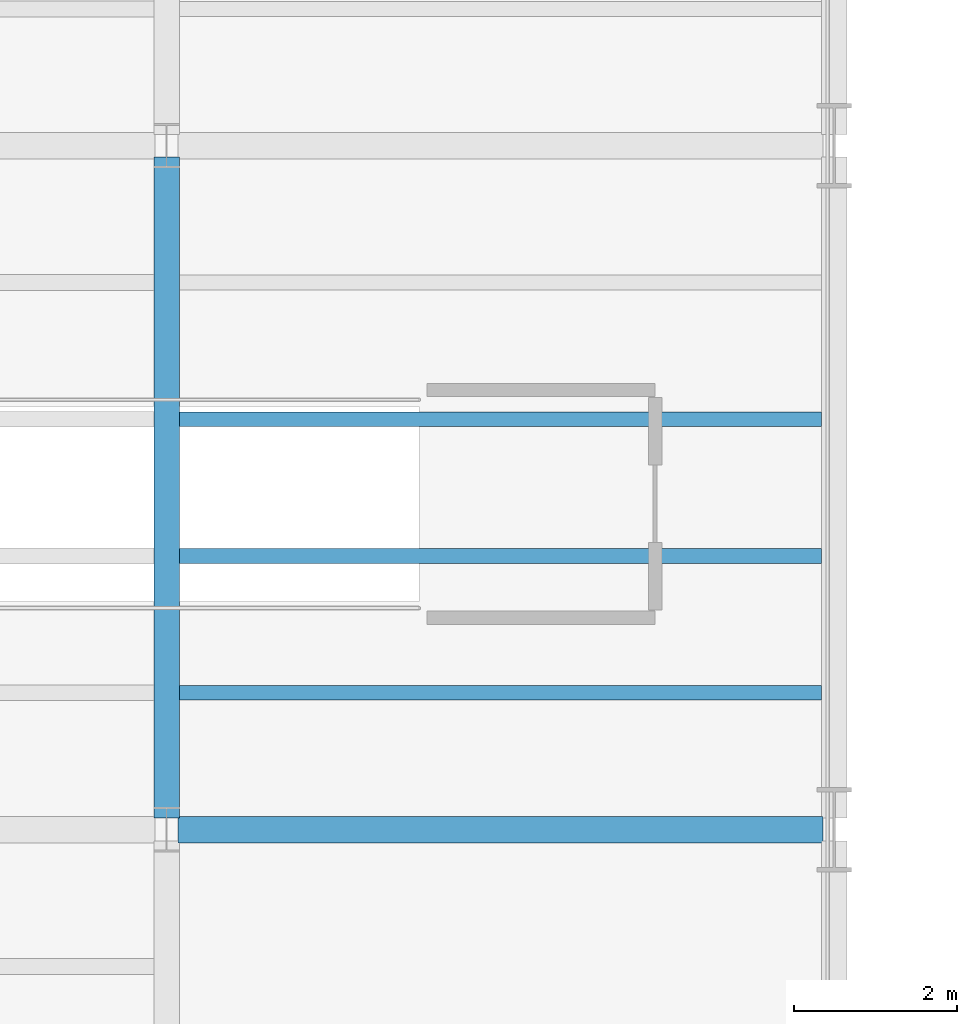
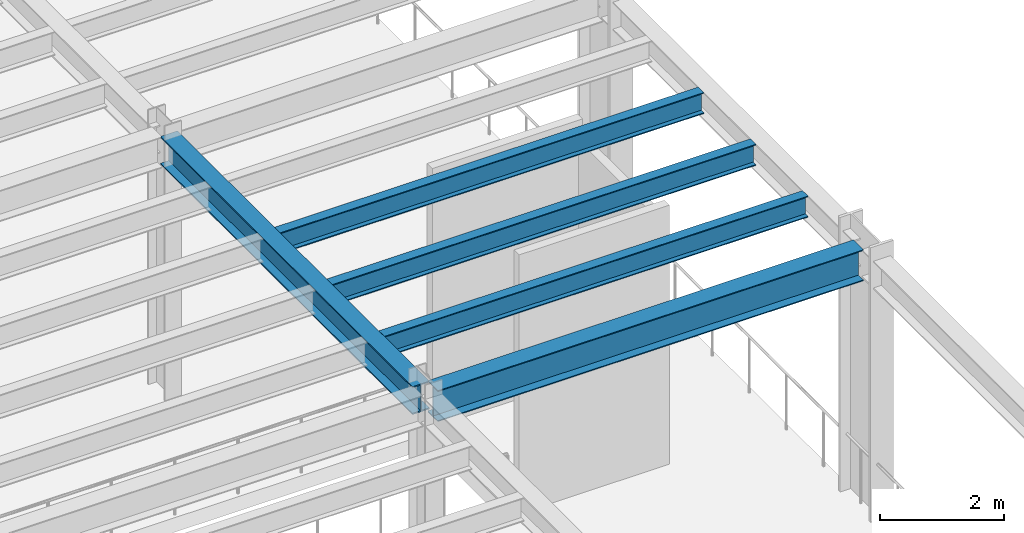
# One storey, part 19 of 98: 5 beams.
"""IFC4 building model written with IfcOpenShell, lengths in metres."""

from ifc_helpers import new_model, si_unit, direction, frame, origin, origin_2d, place, context, subcontext, project, spatial, i_section, extrude, material, material_profile, profile_set, type_object, element, save


model = new_model("IFC4")

# Units and contexts
model_context = context("Model", 3, precision=1e-05, world=origin(), true_north=direction((0.0, 1.0)))
body_context = subcontext(model_context, "Body", "Model", "MODEL_VIEW")
ifc_project = project(units=[si_unit("LENGTHUNIT", "METRE"), si_unit("AREAUNIT", "SQUARE_METRE"), si_unit("VOLUMEUNIT", "CUBIC_METRE"), si_unit("PLANEANGLEUNIT", "RADIAN"), si_unit("MASSUNIT", "GRAM", prefix="KILO")], contexts=[model_context])

# Site, building, storey
site_placement = place(None, origin())
site = spatial("IfcSite", under=ifc_project, at=site_placement, CompositionType="ELEMENT")
building_placement = place(site_placement, origin())
building = spatial("IfcBuilding", under=site, at=building_placement, Name="Sollismere Congress Hotel", CompositionType="ELEMENT")
storey_placement = place(building_placement, frame((0.0, 0.0, 5.39990234375)))
storey = spatial("IfcBuildingStorey", under=building, at=storey_placement, Name="L01", CompositionType="ELEMENT", Elevation=5.39990234375)

# Beams
ifc_material = material(Name="Steel ASTM A992 Grade 50", Category="steel")
ifc_material_profile_1 = material_profile(ifc_material, i_section(OverallWidth=0.31494140625, OverallDepth=0.551025390625, WebThickness=0.01513671875, FlangeThickness=0.0244140625, at=origin_2d()), Name="W21X122")
ifc_profile_set_1 = profile_set([ifc_material_profile_1], Name="Steel ASTM A992 Grade 50")
beam_type_1 = type_object("IfcBeamType", Name="BM-G21H", PredefinedType="BEAM", material=ifc_profile_set_1)
beam_1_placement = place(storey_placement, frame((9.800048828125, 33.340087890625, 4.844482421875), z_axis=(0.0, 1.0, 0.0), x_axis=(-1.0, 0.0, 0.0)))
element("IfcBeam", 1, at=beam_1_placement, inside=storey, type_object=beam_type_1, Name="Beam BM-L01-1629", PredefinedType="BEAM", context=body_context, shape_type="SweptSolid", body=[
    extrude(i_section(OverallWidth=0.31494140625, OverallDepth=0.551025390625, WebThickness=0.01513671875, FlangeThickness=0.0244140625, at=origin_2d()), origin(), (0.0, 0.0, 1.0), 8.119873046875),
])
ifc_material_profile_2 = material_profile(ifc_material, i_section(OverallWidth=0.324951171875, OverallDepth=0.612060546875, WebThickness=0.0126953125, FlangeThickness=0.01904296875, at=origin_2d()), Name="W24X104")
ifc_profile_set_2 = profile_set([ifc_material_profile_2], Name="Steel ASTM A992 Grade 50")
beam_type_2 = type_object("IfcBeamType", Name="BM-G24", PredefinedType="BEAM", material=ifc_profile_set_2)
beam_2_placement = place(storey_placement, frame((9.93994140625, 33.199951171875, 4.814208984375), z_axis=(1.0, 0.0, 0.0), x_axis=(0.0, 1.0, 0.0)))
element("IfcBeam", 2, at=beam_2_placement, inside=storey, type_object=beam_type_2, Name="Beam BM-L01-1564", PredefinedType="BEAM", context=body_context, shape_type="SweptSolid", body=[
    extrude(i_section(OverallWidth=0.324951171875, OverallDepth=0.612060546875, WebThickness=0.0126953125, FlangeThickness=0.01904296875, at=origin_2d()), origin(), (0.0, 0.0, 1.0), 7.920166015625),
])
ifc_material_profile_3 = material_profile(ifc_material, i_section(OverallWidth=0.180908203125, OverallDepth=0.4169921875, WebThickness=0.010986328125, FlangeThickness=0.018310546875, at=origin_2d()), Name="W16X57")
ifc_profile_set_3 = profile_set([ifc_material_profile_3], Name="Steel ASTM A992 Grade 50")
beam_type_3 = type_object("IfcBeamType", Name="BM-J16", PredefinedType="JOIST", material=ifc_profile_set_3)
for number, where, z_axis, x_axis, name in (
    (3, (9.95751953125, 34.8798828125, 4.91162109375), (1.0, 0.0, 0.0), (0.0, 1.0, 0.0), "Beam BM-L01-1735"),
    (4, (9.95751953125, 36.56005859375, 4.91162109375), (1.0, 0.0, 0.0), (0.0, 1.0, 0.0), "Beam BM-L01-1736"),
    (5, (9.95751953125, 38.239990234375, 4.91162109375), (1.0, 0.0, 0.0), (0.0, 1.0, 0.0), "Beam BM-L01-1737"),
):
    element("IfcBeam", number, at=place(storey_placement, frame(where, z_axis=z_axis, x_axis=x_axis)), inside=storey, type_object=beam_type_3, Name=name, PredefinedType="JOIST", context=body_context, shape_type="SweptSolid", body=[
        extrude(i_section(OverallWidth=0.180908203125, OverallDepth=0.4169921875, WebThickness=0.010986328125, FlangeThickness=0.018310546875, at=origin_2d()), origin(), (0.0, 0.0, 1.0), 7.885009765625),
    ])

save(model, "model.ifc")
